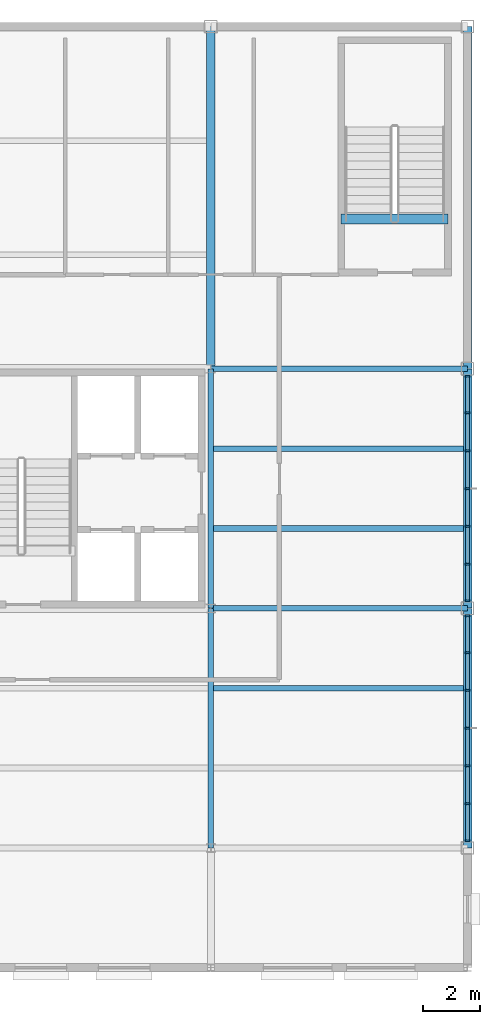
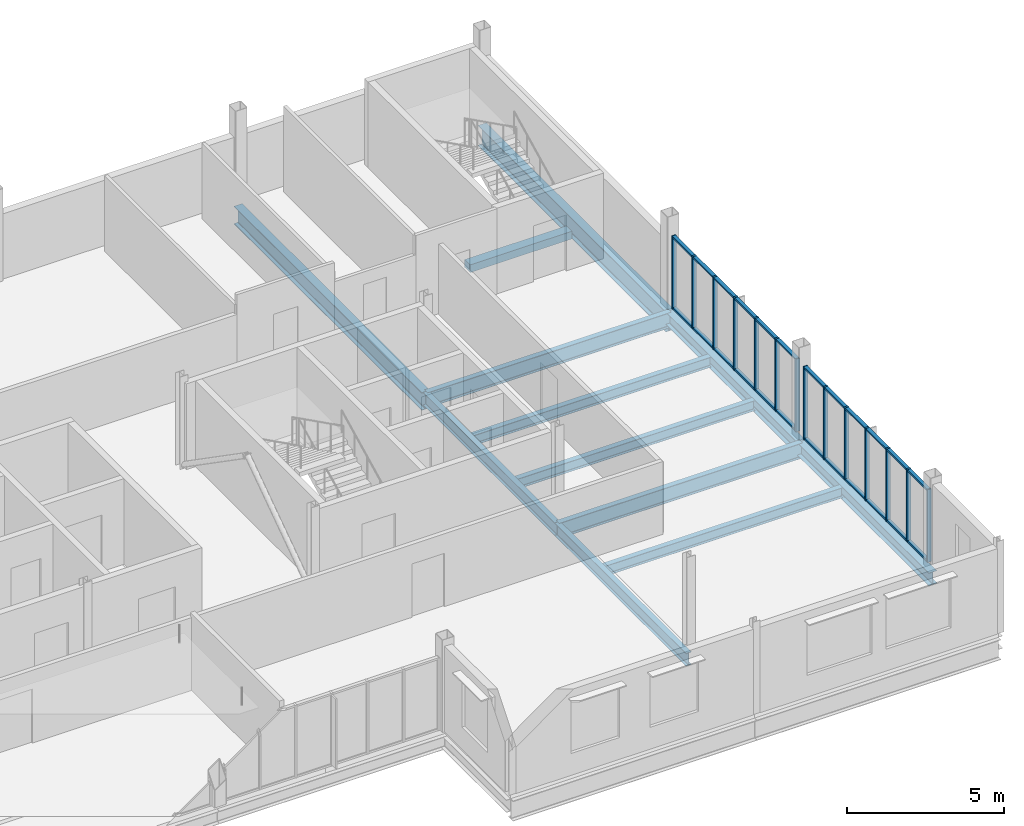
# One storey, part 8 of 19: 38 members, 12 beams, 2 elements without a shape of their own.
"""IFC4 building model written with IfcOpenShell, lengths in metres."""

from ifc_helpers import new_model, si_unit, direction, frame, origin, origin_2d, place, context, subcontext, project, spatial, rectangle, i_section, extrude, material, layer, layer_set, material_profile, profile_set, type_object, element, aggregate, save


model = new_model("IFC4")

# Units and contexts
model_context = context("Model", 3, precision=1e-05, world=origin(), true_north=direction((0.0, 1.0)))
body_context = subcontext(model_context, "Body", "Model", "MODEL_VIEW")
ifc_project = project(units=[si_unit("LENGTHUNIT", "METRE"), si_unit("AREAUNIT", "SQUARE_METRE"), si_unit("VOLUMEUNIT", "CUBIC_METRE"), si_unit("PLANEANGLEUNIT", "RADIAN"), si_unit("MASSUNIT", "GRAM", prefix="KILO")], contexts=[model_context])

# Site, building, storey
site_placement = place(None, origin())
site = spatial("IfcSite", under=ifc_project, at=site_placement, CompositionType="ELEMENT")
building_placement = place(site_placement, origin())
building = spatial("IfcBuilding", under=site, at=building_placement, Name="Yukiwa Park Conservatory and Herbarium", CompositionType="ELEMENT")
storey_placement = place(building_placement, frame((0.0, 0.0, 46.800048828125)))
storey = spatial("IfcBuildingStorey", under=building, at=storey_placement, Name="L12", CompositionType="ELEMENT", Elevation=46.800048828125)

# Beams
ifc_material_1 = material(Name="Steel Q355D", Category="steel")
ifc_material_profile_1 = material_profile(ifc_material_1, i_section(OverallWidth=0.199951171875, OverallDepth=0.5, WebThickness=0.010009765625, FlangeThickness=0.01611328125, FilletRadius=0.02001953125, at=origin_2d()), Name="HN 500x200x10x16")
ifc_profile_set_1 = profile_set([ifc_material_profile_1], Name="Steel Q355D")
beam_type_1 = type_object("IfcBeamType", Name="BM-GRD-HN500", PredefinedType="BEAM", material=ifc_profile_set_1)
beam_1_placement = place(storey_placement, frame((159.0, 86.406005859375, -0.49609375), z_axis=(0.0, 1.0, 0.0), x_axis=(-1.0, 0.0, 0.0)))
element("IfcBeam", 1, at=beam_1_placement, inside=storey, type_object=beam_type_1, Name="L12 grid girder Y-36", PredefinedType="BEAM", context=body_context, shape_type="SweptSolid", body=[
    extrude(i_section(OverallWidth=0.199951171875, OverallDepth=0.5, WebThickness=0.010009765625, FlangeThickness=0.01611328125, FilletRadius=0.02001953125, at=origin_2d()), origin(), (0.0, 0.0, 1.0), 8.387939453125),
])
beam_2_placement = place(storey_placement, frame((159.0, 94.805908203125, -0.49609375), z_axis=(0.0, 1.0, 0.0), x_axis=(-1.0, 0.0, 0.0)))
element("IfcBeam", 2, at=beam_2_placement, inside=storey, type_object=beam_type_1, Name="L12 grid girder Y-37", PredefinedType="BEAM", context=body_context, shape_type="SweptSolid", body=[
    extrude(i_section(OverallWidth=0.199951171875, OverallDepth=0.5, WebThickness=0.010009765625, FlangeThickness=0.01611328125, FilletRadius=0.02001953125, at=origin_2d()), origin(), (0.0, 0.0, 1.0), 8.38818359375),
])
ifc_material_2 = material(Name="Steel Q355D", Category="steel")
ifc_material_profile_2 = material_profile(ifc_material_2, i_section(OverallWidth=0.198974609375, OverallDepth=0.595947265625, WebThickness=0.010009765625, FlangeThickness=0.014892578125, FilletRadius=0.02197265625, at=origin_2d()), Name="HN 596x199x10x15")
ifc_profile_set_2 = profile_set([ifc_material_profile_2], Name="Steel Q355D")
beam_type_2 = type_object("IfcBeamType", Name="BM-GRD-HN596", PredefinedType="BEAM", material=ifc_profile_set_2)
for number, where, z_axis, x_axis, name in (
    (3, (159.006103515625, 94.800048828125, -0.5439453125), (1.0, 0.0, 0.0), (0.0, 1.0, 0.0), "L12 grid beam X-12"),
    (4, (159.006103515625, 103.199951171875, -0.5439453125), (1.0, 0.0, 0.0), (0.0, 1.0, 0.0), "L12 grid beam X-17"),
):
    element("IfcBeam", number, at=place(storey_placement, frame(where, z_axis=z_axis, x_axis=x_axis)), inside=storey, type_object=beam_type_2, Name=name, PredefinedType="BEAM", context=body_context, shape_type="SweptSolid", body=[
        extrude(i_section(OverallWidth=0.198974609375, OverallDepth=0.595947265625, WebThickness=0.010009765625, FlangeThickness=0.014892578125, FilletRadius=0.02197265625, at=origin_2d()), origin(), (0.0, 0.0, 1.0), 8.98779296875),
    ])
ifc_material_3 = material(Name="Steel Q355D", Category="steel")
ifc_material_profile_3 = material_profile(ifc_material_3, i_section(OverallWidth=0.300048828125, OverallDepth=0.699951171875, WebThickness=0.012939453125, FlangeThickness=0.02392578125, FilletRadius=0.028076171875, at=origin_2d()), Name="HN 700x300x13x24")
ifc_profile_set_3 = profile_set([ifc_material_profile_3], Name="Steel Q355D")
beam_type_3 = type_object("IfcBeamType", Name="BM-GRD-HN700", PredefinedType="BEAM", material=ifc_profile_set_3)
beam_3_placement = place(storey_placement, frame((159.0, 103.2060546875, -0.595947265625), z_axis=(0.0, 1.0, 0.0), x_axis=(-1.0, 0.0, 0.0)))
element("IfcBeam", 5, at=beam_3_placement, inside=storey, type_object=beam_type_3, Name="L12 grid girder Y-38", PredefinedType="BEAM", context=body_context, shape_type="SweptSolid", body=[
    extrude(i_section(OverallWidth=0.300048828125, OverallDepth=0.699951171875, WebThickness=0.012939453125, FlangeThickness=0.02392578125, FilletRadius=0.028076171875, at=origin_2d()), origin(), (0.0, 0.0, 1.0), 11.988037109375),
])
ifc_material_4 = material(Name="Steel Q355D", Category="steel")
ifc_material_profile_4 = material_profile(ifc_material_4, i_section(OverallWidth=0.198974609375, OverallDepth=0.39599609375, WebThickness=0.007080078125, FlangeThickness=0.010986328125, FilletRadius=0.01611328125, at=origin_2d()), Name="HN 396x199x7x11")
ifc_profile_set_4 = profile_set([ifc_material_profile_4], Name="Steel Q355D")
beam_type_4 = type_object("IfcBeamType", Name="BM-JST-HN396", PredefinedType="JOIST", material=ifc_profile_set_4)
for number, where, z_axis, x_axis, name in (
    (6, (159.095947265625, 92.0, -0.444091796875), (1.0, 0.0, 0.0), (0.0, 1.0, 0.0), "L12 composite floor joist 20"),
    (7, (159.095947265625, 97.60009765625, -0.444091796875), (1.0, 0.0, 0.0), (0.0, 1.0, 0.0), "L12 composite floor joist 21"),
    (8, (159.095947265625, 100.39990234375, -0.444091796875), (1.0, 0.0, 0.0), (0.0, 1.0, 0.0), "L12 composite floor joist 22"),
):
    element("IfcBeam", number, at=place(storey_placement, frame(where, z_axis=z_axis, x_axis=x_axis)), inside=storey, type_object=beam_type_4, Name=name, PredefinedType="JOIST", context=body_context, shape_type="SweptSolid", body=[
        extrude(i_section(OverallWidth=0.198974609375, OverallDepth=0.39599609375, WebThickness=0.007080078125, FlangeThickness=0.010986328125, FilletRadius=0.01611328125, at=origin_2d()), origin(), (0.0, 0.0, 1.0), 8.758056640625),
    ])
ifc_material_5 = material(Name="Steel Q355D", Category="steel")
ifc_material_profile_5 = material_profile(ifc_material_5, i_section(OverallWidth=0.300048828125, OverallDepth=0.5, WebThickness=0.010986328125, FlangeThickness=0.01806640625, FilletRadius=0.02392578125, at=origin_2d()), Name="HM 500x300x11x18")
ifc_profile_set_5 = profile_set([ifc_material_profile_5], Name="Steel Q355D")
beam_type_5 = type_object("IfcBeamType", Name="BM-SPN-HN500", PredefinedType="SPANDREL", material=ifc_profile_set_5)
beam_4_placement = place(storey_placement, frame((168.0, 86.406005859375, -0.49609375), z_axis=(0.0, 1.0, 0.0), x_axis=(-1.0, 0.0, 0.0)))
element("IfcBeam", 9, at=beam_4_placement, inside=storey, type_object=beam_type_5, Name="L12 spandrel girder Y-40", PredefinedType="SPANDREL", context=body_context, shape_type="SweptSolid", body=[
    extrude(i_section(OverallWidth=0.300048828125, OverallDepth=0.5, WebThickness=0.010986328125, FlangeThickness=0.01806640625, FilletRadius=0.02392578125, at=origin_2d()), origin(), (0.0, 0.0, 1.0), 8.387939453125),
])
beam_5_placement = place(storey_placement, frame((168.0, 94.805908203125, -0.49609375), z_axis=(0.0, 1.0, 0.0), x_axis=(-1.0, 0.0, 0.0)))
element("IfcBeam", 10, at=beam_5_placement, inside=storey, type_object=beam_type_5, Name="L12 spandrel girder Y-41", PredefinedType="SPANDREL", context=body_context, shape_type="SweptSolid", body=[
    extrude(i_section(OverallWidth=0.300048828125, OverallDepth=0.5, WebThickness=0.010986328125, FlangeThickness=0.01806640625, FilletRadius=0.02392578125, at=origin_2d()), origin(), (0.0, 0.0, 1.0), 8.38818359375),
])
ifc_material_6 = material(Name="Steel Q355D", Category="steel")
ifc_material_profile_6 = material_profile(ifc_material_6, i_section(OverallWidth=0.300048828125, OverallDepth=0.7919921875, WebThickness=0.013916015625, FlangeThickness=0.02197265625, FilletRadius=0.028076171875, at=origin_2d()), Name="HN 792x300x14x22")
ifc_profile_set_6 = profile_set([ifc_material_profile_6], Name="Steel Q355D")
beam_type_6 = type_object("IfcBeamType", Name="BM-SPN-HN600", PredefinedType="SPANDREL", material=ifc_profile_set_6)
beam_6_placement = place(storey_placement, frame((168.0, 103.2060546875, -0.64208984375), z_axis=(0.0, 1.0, 0.0), x_axis=(-1.0, 0.0, 0.0)))
element("IfcBeam", 11, at=beam_6_placement, inside=storey, type_object=beam_type_6, Name="L12 spandrel girder Y-42", PredefinedType="SPANDREL", context=body_context, shape_type="SweptSolid", body=[
    extrude(i_section(OverallWidth=0.300048828125, OverallDepth=0.7919921875, WebThickness=0.013916015625, FlangeThickness=0.02197265625, FilletRadius=0.028076171875, at=origin_2d()), origin(), (0.0, 0.0, 1.0), 11.988037109375),
])
ifc_material_7 = material(Name="Concrete C40", Category="concrete")
ifc_material_profile_7 = material_profile(ifc_material_7, rectangle(XDim=0.35009765625, YDim=0.300048828125, at=origin_2d()), Name="RC 350x300")
ifc_profile_set_7 = profile_set([ifc_material_profile_7], Name="Concrete C40")
beam_type_7 = type_object("IfcBeamType", Name="BM-STAIR-TRIM", PredefinedType="BEAM", material=ifc_profile_set_7)
beam_7_placement = place(storey_placement, frame((163.570068359375, 108.4599609375, -0.150146484375), z_axis=(1.0, 0.0, 0.0), x_axis=(0.0, 1.0, 0.0)))
element("IfcBeam", 12, at=beam_7_placement, inside=storey, type_object=beam_type_7, Name="Stair ST-T3 L12 landing trimmer beam", PredefinedType="BEAM", context=body_context, shape_type="SweptSolid", body=[
    extrude(rectangle(XDim=0.35009765625, YDim=0.300048828125, at=origin_2d()), origin(), (0.0, 0.0, 1.0), 3.75),
])

# Curtain wall, members
ifc_material_8 = material(Name="Triple Low-E Insulated Glass", Category="glass")
ifc_layer = layer(ifc_material_8, 0.22412109375)
ifc_layer_set = layer_set([ifc_layer], Name="Triple Low-E Insulated Glass")
curtain_wall_type = type_object("IfcCurtainWallType", Name="CW-TOWER-CORNER-1400", PredefinedType="NOTDEFINED", material=ifc_layer_set)
curtain_wall_1_placement = place(storey_placement, origin())
curtain_wall_1 = element("IfcCurtainWall", 13, at=curtain_wall_1_placement, inside=storey, type_object=curtain_wall_type, Name="L12 unitised curtain wall CW-L12-119", PredefinedType="NOTDEFINED")
ifc_material_9 = material(Name="Anodised Aluminium", Category="aluminium")
member_type_1 = type_object("IfcMemberType", Name="MB-CW-MUL-70X150", PredefinedType="MULLION", material=ifc_material_9)
member_1_placement = place(storey_placement, frame((168.0, 86.659912109375, 0.0), z_axis=(0.0, 0.0, 1.0), x_axis=(0.0, 1.0, 0.0)))
member_1 = element("IfcMember", 14, at=member_1_placement, type_object=member_type_1, Name="CW-L12-119 mullion 1", PredefinedType="MULLION", context=body_context, shape_type="SweptSolid", body=[
    extrude(rectangle(XDim=0.070068359375, YDim=0.14990234375, at=origin_2d()), origin(), (0.0, 0.0, 1.0), 2.837890625),
])
member_2_placement = place(storey_placement, frame((168.0, 87.949951171875, 0.0), z_axis=(0.0, 0.0, 1.0), x_axis=(0.0, 1.0, 0.0)))
member_2 = element("IfcMember", 15, at=member_2_placement, type_object=member_type_1, Name="CW-L12-119 mullion 2", PredefinedType="MULLION", context=body_context, shape_type="SweptSolid", body=[
    extrude(rectangle(XDim=0.070068359375, YDim=0.14990234375, at=origin_2d()), origin(), (0.0, 0.0, 1.0), 2.837890625),
])
member_3_placement = place(storey_placement, frame((168.0, 89.27490234375, 0.0), z_axis=(0.0, 0.0, 1.0), x_axis=(0.0, 1.0, 0.0)))
member_3 = element("IfcMember", 16, at=member_3_placement, type_object=member_type_1, Name="CW-L12-119 mullion 3", PredefinedType="MULLION", context=body_context, shape_type="SweptSolid", body=[
    extrude(rectangle(XDim=0.070068359375, YDim=0.14990234375, at=origin_2d()), origin(), (0.0, 0.0, 1.0), 2.837890625),
])
member_4_placement = place(storey_placement, frame((168.0, 90.60009765625, 0.0), z_axis=(0.0, 0.0, 1.0), x_axis=(0.0, 1.0, 0.0)))
member_4 = element("IfcMember", 17, at=member_4_placement, type_object=member_type_1, Name="CW-L12-119 mullion 4", PredefinedType="MULLION", context=body_context, shape_type="SweptSolid", body=[
    extrude(rectangle(XDim=0.070068359375, YDim=0.14990234375, at=origin_2d()), origin(), (0.0, 0.0, 1.0), 2.837890625),
])
member_5_placement = place(storey_placement, frame((168.0, 91.925048828125, 0.0), z_axis=(0.0, 0.0, 1.0), x_axis=(0.0, 1.0, 0.0)))
member_5 = element("IfcMember", 18, at=member_5_placement, type_object=member_type_1, Name="CW-L12-119 mullion 5", PredefinedType="MULLION", context=body_context, shape_type="SweptSolid", body=[
    extrude(rectangle(XDim=0.070068359375, YDim=0.14990234375, at=origin_2d()), origin(), (0.0, 0.0, 1.0), 2.837890625),
])
member_6_placement = place(storey_placement, frame((168.0, 93.25, 0.0), z_axis=(0.0, 0.0, 1.0), x_axis=(0.0, 1.0, 0.0)))
member_6 = element("IfcMember", 19, at=member_6_placement, type_object=member_type_1, Name="CW-L12-119 mullion 6", PredefinedType="MULLION", context=body_context, shape_type="SweptSolid", body=[
    extrude(rectangle(XDim=0.070068359375, YDim=0.14990234375, at=origin_2d()), origin(), (0.0, 0.0, 1.0), 2.837890625),
])
member_7_placement = place(storey_placement, frame((168.0, 94.5400390625, 0.0), z_axis=(0.0, 0.0, 1.0), x_axis=(0.0, 1.0, 0.0)))
member_7 = element("IfcMember", 20, at=member_7_placement, type_object=member_type_1, Name="CW-L12-119 mullion 7", PredefinedType="MULLION", context=body_context, shape_type="SweptSolid", body=[
    extrude(rectangle(XDim=0.070068359375, YDim=0.14990234375, at=origin_2d()), origin(), (0.0, 0.0, 1.0), 2.837890625),
])

curtain_wall_2_placement = place(storey_placement, origin())
curtain_wall_2 = element("IfcCurtainWall", 21, at=curtain_wall_2_placement, inside=storey, type_object=curtain_wall_type, Name="L12 unitised curtain wall CW-L12-120", PredefinedType="NOTDEFINED")
member_8_placement = place(storey_placement, frame((168.0, 95.06005859375, 0.0), z_axis=(0.0, 0.0, 1.0), x_axis=(0.0, 1.0, 0.0)))
member_8 = element("IfcMember", 22, at=member_8_placement, type_object=member_type_1, Name="CW-L12-120 mullion 1", PredefinedType="MULLION", context=body_context, shape_type="SweptSolid", body=[
    extrude(rectangle(XDim=0.070068359375, YDim=0.14990234375, at=origin_2d()), origin(), (0.0, 0.0, 1.0), 2.837890625),
])
member_9_placement = place(storey_placement, frame((168.0, 96.35009765625, 0.0), z_axis=(0.0, 0.0, 1.0), x_axis=(0.0, 1.0, 0.0)))
member_9 = element("IfcMember", 23, at=member_9_placement, type_object=member_type_1, Name="CW-L12-120 mullion 2", PredefinedType="MULLION", context=body_context, shape_type="SweptSolid", body=[
    extrude(rectangle(XDim=0.070068359375, YDim=0.14990234375, at=origin_2d()), origin(), (0.0, 0.0, 1.0), 2.837890625),
])
member_10_placement = place(storey_placement, frame((168.0, 97.675048828125, 0.0), z_axis=(0.0, 0.0, 1.0), x_axis=(0.0, 1.0, 0.0)))
member_10 = element("IfcMember", 24, at=member_10_placement, type_object=member_type_1, Name="CW-L12-120 mullion 3", PredefinedType="MULLION", context=body_context, shape_type="SweptSolid", body=[
    extrude(rectangle(XDim=0.070068359375, YDim=0.14990234375, at=origin_2d()), origin(), (0.0, 0.0, 1.0), 2.837890625),
])
member_11_placement = place(storey_placement, frame((168.0, 99.0, 0.0), z_axis=(0.0, 0.0, 1.0), x_axis=(0.0, 1.0, 0.0)))
member_11 = element("IfcMember", 25, at=member_11_placement, type_object=member_type_1, Name="CW-L12-120 mullion 4", PredefinedType="MULLION", context=body_context, shape_type="SweptSolid", body=[
    extrude(rectangle(XDim=0.070068359375, YDim=0.14990234375, at=origin_2d()), origin(), (0.0, 0.0, 1.0), 2.837890625),
])
member_12_placement = place(storey_placement, frame((168.0, 100.324951171875, 0.0), z_axis=(0.0, 0.0, 1.0), x_axis=(0.0, 1.0, 0.0)))
member_12 = element("IfcMember", 26, at=member_12_placement, type_object=member_type_1, Name="CW-L12-120 mullion 5", PredefinedType="MULLION", context=body_context, shape_type="SweptSolid", body=[
    extrude(rectangle(XDim=0.070068359375, YDim=0.14990234375, at=origin_2d()), origin(), (0.0, 0.0, 1.0), 2.837890625),
])
member_13_placement = place(storey_placement, frame((168.0, 101.64990234375, 0.0), z_axis=(0.0, 0.0, 1.0), x_axis=(0.0, 1.0, 0.0)))
member_13 = element("IfcMember", 27, at=member_13_placement, type_object=member_type_1, Name="CW-L12-120 mullion 6", PredefinedType="MULLION", context=body_context, shape_type="SweptSolid", body=[
    extrude(rectangle(XDim=0.070068359375, YDim=0.14990234375, at=origin_2d()), origin(), (0.0, 0.0, 1.0), 2.837890625),
])
member_14_placement = place(storey_placement, frame((168.0, 102.93994140625, 0.0), z_axis=(0.0, 0.0, 1.0), x_axis=(0.0, 1.0, 0.0)))
member_14 = element("IfcMember", 28, at=member_14_placement, type_object=member_type_1, Name="CW-L12-120 mullion 7", PredefinedType="MULLION", context=body_context, shape_type="SweptSolid", body=[
    extrude(rectangle(XDim=0.070068359375, YDim=0.14990234375, at=origin_2d()), origin(), (0.0, 0.0, 1.0), 2.837890625),
])

# Member
ifc_material_10 = material(Name="Anodised Aluminium", Category="aluminium")
member_type_2 = type_object("IfcMemberType", Name="MB-CW-TRN-70X130", PredefinedType="USERDEFINED", material=ifc_material_10)
member_15_placement = place(storey_placement, frame((168.0, 87.28759765625, 0.0), z_axis=(0.0, 0.0, 1.0), x_axis=(0.0, 1.0, 0.0)))
member_15 = element("IfcMember", 29, at=member_15_placement, type_object=member_type_2, Name="CW-L12-119 transom 1.1", ObjectType="TRANSOM", PredefinedType="USERDEFINED", context=body_context, shape_type="SweptSolid", body=[
    extrude(rectangle(XDim=1.2548828125, YDim=0.1298828125, at=origin_2d()), origin(), (0.0, 0.0, 1.0), 0.070068359375),
])

member_16_placement = place(storey_placement, frame((168.0, 87.28759765625, 2.76806640625), z_axis=(0.0, 0.0, 1.0), x_axis=(0.0, 1.0, 0.0)))
member_16 = element("IfcMember", 30, at=member_16_placement, type_object=member_type_2, Name="CW-L12-119 transom 1.2", ObjectType="TRANSOM", PredefinedType="USERDEFINED", context=body_context, shape_type="SweptSolid", body=[
    extrude(rectangle(XDim=1.2548828125, YDim=0.1298828125, at=origin_2d()), origin(), (0.0, 0.0, 1.0), 0.070068359375),
])

member_17_placement = place(storey_placement, frame((168.0, 88.612548828125, 0.0), z_axis=(0.0, 0.0, 1.0), x_axis=(0.0, 1.0, 0.0)))
member_17 = element("IfcMember", 31, at=member_17_placement, type_object=member_type_2, Name="CW-L12-119 transom 2.1", ObjectType="TRANSOM", PredefinedType="USERDEFINED", context=body_context, shape_type="SweptSolid", body=[
    extrude(rectangle(XDim=1.2548828125, YDim=0.1298828125, at=origin_2d()), origin(), (0.0, 0.0, 1.0), 0.070068359375),
])

member_18_placement = place(storey_placement, frame((168.0, 88.612548828125, 2.76806640625), z_axis=(0.0, 0.0, 1.0), x_axis=(0.0, 1.0, 0.0)))
member_18 = element("IfcMember", 32, at=member_18_placement, type_object=member_type_2, Name="CW-L12-119 transom 2.2", ObjectType="TRANSOM", PredefinedType="USERDEFINED", context=body_context, shape_type="SweptSolid", body=[
    extrude(rectangle(XDim=1.2548828125, YDim=0.1298828125, at=origin_2d()), origin(), (0.0, 0.0, 1.0), 0.070068359375),
])

member_19_placement = place(storey_placement, frame((168.0, 89.9375, 0.0), z_axis=(0.0, 0.0, 1.0), x_axis=(0.0, 1.0, 0.0)))
member_19 = element("IfcMember", 33, at=member_19_placement, type_object=member_type_2, Name="CW-L12-119 transom 3.1", ObjectType="TRANSOM", PredefinedType="USERDEFINED", context=body_context, shape_type="SweptSolid", body=[
    extrude(rectangle(XDim=1.2548828125, YDim=0.1298828125, at=origin_2d()), origin(), (0.0, 0.0, 1.0), 0.070068359375),
])

member_20_placement = place(storey_placement, frame((168.0, 89.9375, 2.76806640625), z_axis=(0.0, 0.0, 1.0), x_axis=(0.0, 1.0, 0.0)))
member_20 = element("IfcMember", 34, at=member_20_placement, type_object=member_type_2, Name="CW-L12-119 transom 3.2", ObjectType="TRANSOM", PredefinedType="USERDEFINED", context=body_context, shape_type="SweptSolid", body=[
    extrude(rectangle(XDim=1.2548828125, YDim=0.1298828125, at=origin_2d()), origin(), (0.0, 0.0, 1.0), 0.070068359375),
])

member_21_placement = place(storey_placement, frame((168.0, 91.262451171875, 0.0), z_axis=(0.0, 0.0, 1.0), x_axis=(0.0, 1.0, 0.0)))
member_21 = element("IfcMember", 35, at=member_21_placement, type_object=member_type_2, Name="CW-L12-119 transom 4.1", ObjectType="TRANSOM", PredefinedType="USERDEFINED", context=body_context, shape_type="SweptSolid", body=[
    extrude(rectangle(XDim=1.2548828125, YDim=0.1298828125, at=origin_2d()), origin(), (0.0, 0.0, 1.0), 0.070068359375),
])

member_22_placement = place(storey_placement, frame((168.0, 91.262451171875, 2.76806640625), z_axis=(0.0, 0.0, 1.0), x_axis=(0.0, 1.0, 0.0)))
member_22 = element("IfcMember", 36, at=member_22_placement, type_object=member_type_2, Name="CW-L12-119 transom 4.2", ObjectType="TRANSOM", PredefinedType="USERDEFINED", context=body_context, shape_type="SweptSolid", body=[
    extrude(rectangle(XDim=1.2548828125, YDim=0.1298828125, at=origin_2d()), origin(), (0.0, 0.0, 1.0), 0.070068359375),
])

member_23_placement = place(storey_placement, frame((168.0, 92.58740234375, 0.0), z_axis=(0.0, 0.0, 1.0), x_axis=(0.0, 1.0, 0.0)))
member_23 = element("IfcMember", 37, at=member_23_placement, type_object=member_type_2, Name="CW-L12-119 transom 5.1", ObjectType="TRANSOM", PredefinedType="USERDEFINED", context=body_context, shape_type="SweptSolid", body=[
    extrude(rectangle(XDim=1.2548828125, YDim=0.1298828125, at=origin_2d()), origin(), (0.0, 0.0, 1.0), 0.070068359375),
])

member_24_placement = place(storey_placement, frame((168.0, 92.58740234375, 2.76806640625), z_axis=(0.0, 0.0, 1.0), x_axis=(0.0, 1.0, 0.0)))
member_24 = element("IfcMember", 38, at=member_24_placement, type_object=member_type_2, Name="CW-L12-119 transom 5.2", ObjectType="TRANSOM", PredefinedType="USERDEFINED", context=body_context, shape_type="SweptSolid", body=[
    extrude(rectangle(XDim=1.2548828125, YDim=0.1298828125, at=origin_2d()), origin(), (0.0, 0.0, 1.0), 0.070068359375),
])

member_25_placement = place(storey_placement, frame((168.0, 93.91259765625, 0.0), z_axis=(0.0, 0.0, 1.0), x_axis=(0.0, 1.0, 0.0)))
member_25 = element("IfcMember", 39, at=member_25_placement, type_object=member_type_2, Name="CW-L12-119 transom 6.1", ObjectType="TRANSOM", PredefinedType="USERDEFINED", context=body_context, shape_type="SweptSolid", body=[
    extrude(rectangle(XDim=1.2548828125, YDim=0.1298828125, at=origin_2d()), origin(), (0.0, 0.0, 1.0), 0.070068359375),
])

member_26_placement = place(storey_placement, frame((168.0, 93.91259765625, 2.76806640625), z_axis=(0.0, 0.0, 1.0), x_axis=(0.0, 1.0, 0.0)))
member_26 = element("IfcMember", 40, at=member_26_placement, type_object=member_type_2, Name="CW-L12-119 transom 6.2", ObjectType="TRANSOM", PredefinedType="USERDEFINED", context=body_context, shape_type="SweptSolid", body=[
    extrude(rectangle(XDim=1.2548828125, YDim=0.1298828125, at=origin_2d()), origin(), (0.0, 0.0, 1.0), 0.070068359375),
])

aggregate(curtain_wall_1, [member_1, member_2, member_3, member_4, member_5, member_6, member_7, member_15, member_16, member_17, member_18, member_19, member_20, member_21, member_22, member_23, member_24, member_25, member_26])

member_27_placement = place(storey_placement, frame((168.0, 95.6875, 0.0), z_axis=(0.0, 0.0, 1.0), x_axis=(0.0, 1.0, 0.0)))
member_27 = element("IfcMember", 41, at=member_27_placement, type_object=member_type_2, Name="CW-L12-120 transom 1.1", ObjectType="TRANSOM", PredefinedType="USERDEFINED", context=body_context, shape_type="SweptSolid", body=[
    extrude(rectangle(XDim=1.2548828125, YDim=0.1298828125, at=origin_2d()), origin(), (0.0, 0.0, 1.0), 0.070068359375),
])

member_28_placement = place(storey_placement, frame((168.0, 95.6875, 2.76806640625), z_axis=(0.0, 0.0, 1.0), x_axis=(0.0, 1.0, 0.0)))
member_28 = element("IfcMember", 42, at=member_28_placement, type_object=member_type_2, Name="CW-L12-120 transom 1.2", ObjectType="TRANSOM", PredefinedType="USERDEFINED", context=body_context, shape_type="SweptSolid", body=[
    extrude(rectangle(XDim=1.2548828125, YDim=0.1298828125, at=origin_2d()), origin(), (0.0, 0.0, 1.0), 0.070068359375),
])

member_29_placement = place(storey_placement, frame((168.0, 97.012451171875, 0.0), z_axis=(0.0, 0.0, 1.0), x_axis=(0.0, 1.0, 0.0)))
member_29 = element("IfcMember", 43, at=member_29_placement, type_object=member_type_2, Name="CW-L12-120 transom 2.1", ObjectType="TRANSOM", PredefinedType="USERDEFINED", context=body_context, shape_type="SweptSolid", body=[
    extrude(rectangle(XDim=1.2548828125, YDim=0.1298828125, at=origin_2d()), origin(), (0.0, 0.0, 1.0), 0.070068359375),
])

member_30_placement = place(storey_placement, frame((168.0, 97.012451171875, 2.76806640625), z_axis=(0.0, 0.0, 1.0), x_axis=(0.0, 1.0, 0.0)))
member_30 = element("IfcMember", 44, at=member_30_placement, type_object=member_type_2, Name="CW-L12-120 transom 2.2", ObjectType="TRANSOM", PredefinedType="USERDEFINED", context=body_context, shape_type="SweptSolid", body=[
    extrude(rectangle(XDim=1.2548828125, YDim=0.1298828125, at=origin_2d()), origin(), (0.0, 0.0, 1.0), 0.070068359375),
])

member_31_placement = place(storey_placement, frame((168.0, 98.33740234375, 0.0), z_axis=(0.0, 0.0, 1.0), x_axis=(0.0, 1.0, 0.0)))
member_31 = element("IfcMember", 45, at=member_31_placement, type_object=member_type_2, Name="CW-L12-120 transom 3.1", ObjectType="TRANSOM", PredefinedType="USERDEFINED", context=body_context, shape_type="SweptSolid", body=[
    extrude(rectangle(XDim=1.2548828125, YDim=0.1298828125, at=origin_2d()), origin(), (0.0, 0.0, 1.0), 0.070068359375),
])

member_32_placement = place(storey_placement, frame((168.0, 98.33740234375, 2.76806640625), z_axis=(0.0, 0.0, 1.0), x_axis=(0.0, 1.0, 0.0)))
member_32 = element("IfcMember", 46, at=member_32_placement, type_object=member_type_2, Name="CW-L12-120 transom 3.2", ObjectType="TRANSOM", PredefinedType="USERDEFINED", context=body_context, shape_type="SweptSolid", body=[
    extrude(rectangle(XDim=1.2548828125, YDim=0.1298828125, at=origin_2d()), origin(), (0.0, 0.0, 1.0), 0.070068359375),
])

member_33_placement = place(storey_placement, frame((168.0, 99.66259765625, 0.0), z_axis=(0.0, 0.0, 1.0), x_axis=(0.0, 1.0, 0.0)))
member_33 = element("IfcMember", 47, at=member_33_placement, type_object=member_type_2, Name="CW-L12-120 transom 4.1", ObjectType="TRANSOM", PredefinedType="USERDEFINED", context=body_context, shape_type="SweptSolid", body=[
    extrude(rectangle(XDim=1.2548828125, YDim=0.1298828125, at=origin_2d()), origin(), (0.0, 0.0, 1.0), 0.070068359375),
])

member_34_placement = place(storey_placement, frame((168.0, 99.66259765625, 2.76806640625), z_axis=(0.0, 0.0, 1.0), x_axis=(0.0, 1.0, 0.0)))
member_34 = element("IfcMember", 48, at=member_34_placement, type_object=member_type_2, Name="CW-L12-120 transom 4.2", ObjectType="TRANSOM", PredefinedType="USERDEFINED", context=body_context, shape_type="SweptSolid", body=[
    extrude(rectangle(XDim=1.2548828125, YDim=0.1298828125, at=origin_2d()), origin(), (0.0, 0.0, 1.0), 0.070068359375),
])

member_35_placement = place(storey_placement, frame((168.0, 100.987548828125, 0.0), z_axis=(0.0, 0.0, 1.0), x_axis=(0.0, 1.0, 0.0)))
member_35 = element("IfcMember", 49, at=member_35_placement, type_object=member_type_2, Name="CW-L12-120 transom 5.1", ObjectType="TRANSOM", PredefinedType="USERDEFINED", context=body_context, shape_type="SweptSolid", body=[
    extrude(rectangle(XDim=1.2548828125, YDim=0.1298828125, at=origin_2d()), origin(), (0.0, 0.0, 1.0), 0.070068359375),
])

member_36_placement = place(storey_placement, frame((168.0, 100.987548828125, 2.76806640625), z_axis=(0.0, 0.0, 1.0), x_axis=(0.0, 1.0, 0.0)))
member_36 = element("IfcMember", 50, at=member_36_placement, type_object=member_type_2, Name="CW-L12-120 transom 5.2", ObjectType="TRANSOM", PredefinedType="USERDEFINED", context=body_context, shape_type="SweptSolid", body=[
    extrude(rectangle(XDim=1.2548828125, YDim=0.1298828125, at=origin_2d()), origin(), (0.0, 0.0, 1.0), 0.070068359375),
])

member_37_placement = place(storey_placement, frame((168.0, 102.3125, 0.0), z_axis=(0.0, 0.0, 1.0), x_axis=(0.0, 1.0, 0.0)))
member_37 = element("IfcMember", 51, at=member_37_placement, type_object=member_type_2, Name="CW-L12-120 transom 6.1", ObjectType="TRANSOM", PredefinedType="USERDEFINED", context=body_context, shape_type="SweptSolid", body=[
    extrude(rectangle(XDim=1.2548828125, YDim=0.1298828125, at=origin_2d()), origin(), (0.0, 0.0, 1.0), 0.070068359375),
])

member_38_placement = place(storey_placement, frame((168.0, 102.3125, 2.76806640625), z_axis=(0.0, 0.0, 1.0), x_axis=(0.0, 1.0, 0.0)))
member_38 = element("IfcMember", 52, at=member_38_placement, type_object=member_type_2, Name="CW-L12-120 transom 6.2", ObjectType="TRANSOM", PredefinedType="USERDEFINED", context=body_context, shape_type="SweptSolid", body=[
    extrude(rectangle(XDim=1.2548828125, YDim=0.1298828125, at=origin_2d()), origin(), (0.0, 0.0, 1.0), 0.070068359375),
])

aggregate(curtain_wall_2, [member_8, member_9, member_10, member_11, member_12, member_13, member_14, member_27, member_28, member_29, member_30, member_31, member_32, member_33, member_34, member_35, member_36, member_37, member_38])

save(model, "model.ifc")
